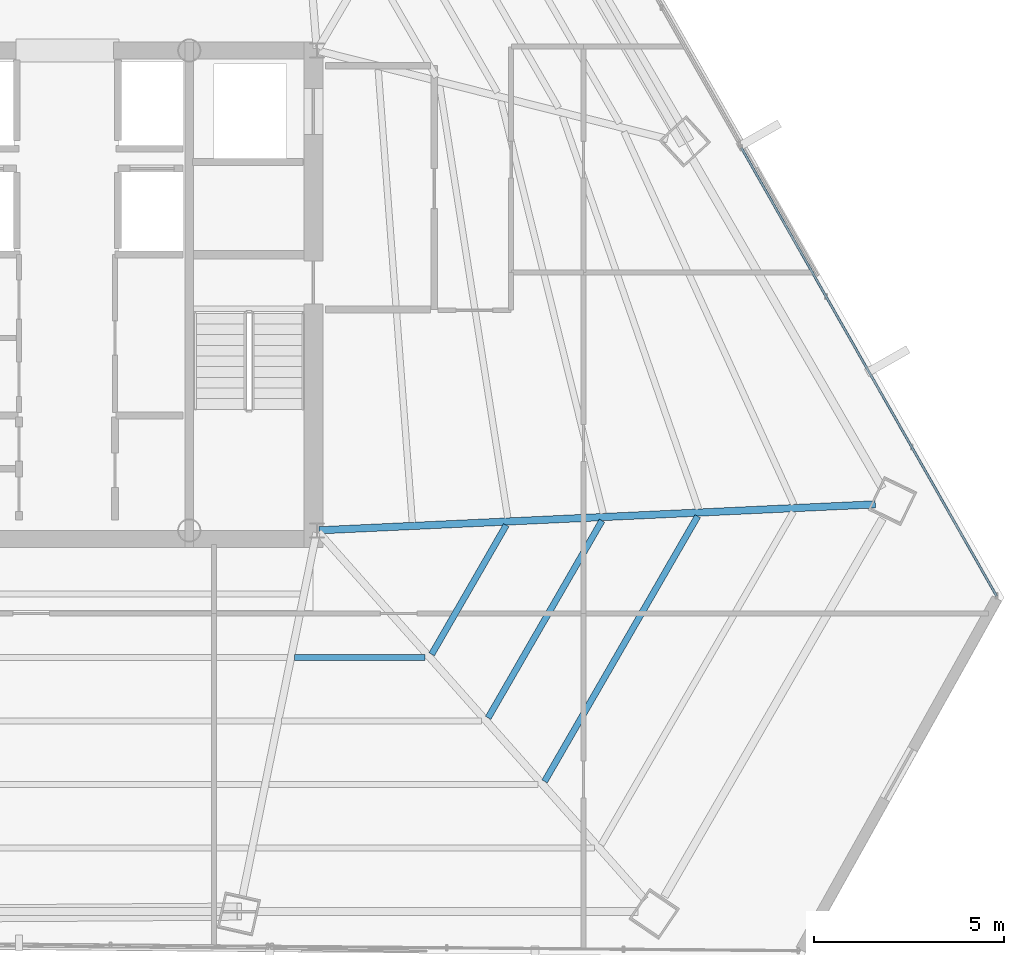
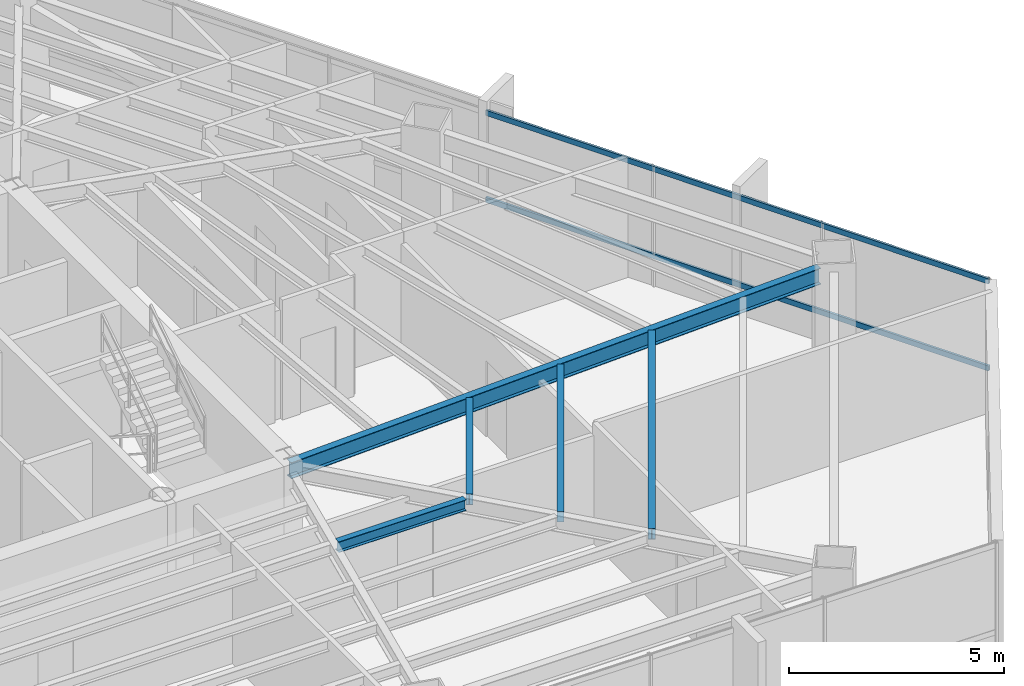
# One storey, part 20 of 38: 5 beams, 2 members, 1 element without a shape of its own.
"""IFC4 building model written with IfcOpenShell, lengths in metres."""

from ifc_helpers import new_model, si_unit, direction, frame, origin, origin_2d, place, context, subcontext, project, spatial, hollow_rectangle, i_section, extrude, source, transform, mapped, material, material_profile, profile_set, type_object, type_shapes, element, aggregate, save


model = new_model("IFC4")

# Units and contexts
model_context = context("Model", 3, precision=1e-05, world=origin(), true_north=direction((0.0, 1.0)))
body_context = subcontext(model_context, "Body", "Model", "MODEL_VIEW")
ifc_project = project(units=[si_unit("LENGTHUNIT", "METRE"), si_unit("AREAUNIT", "SQUARE_METRE"), si_unit("VOLUMEUNIT", "CUBIC_METRE"), si_unit("PLANEANGLEUNIT", "RADIAN"), si_unit("MASSUNIT", "GRAM", prefix="KILO")], contexts=[model_context])

# Site, building, storey
site_placement = place(None, origin())
site = spatial("IfcSite", under=ifc_project, at=site_placement, CompositionType="ELEMENT")
building_placement = place(site_placement, origin())
building = spatial("IfcBuilding", under=site, at=building_placement, Name="Caelisora Broadcast Tower", CompositionType="ELEMENT")
storey_placement = place(building_placement, frame((0.0, 0.0, 154.85009765625)))
storey = spatial("IfcBuildingStorey", under=building, at=storey_placement, Name="L40", CompositionType="ELEMENT", Elevation=154.85009765625)

# Beams
ifc_material_1 = material(Name="Steel Grade 350 (AS/NZS 3679.1)", Category="steel")
ifc_material_profile_1 = material_profile(ifc_material_1, i_section(OverallWidth=0.19091796875, OverallDepth=0.46044921875, WebThickness=0.010009765625, FlangeThickness=0.01611328125, at=origin_2d()), Name="Steel Grade 350 (AS/NZS 3679.1)")
ifc_profile_set_1 = profile_set([ifc_material_profile_1], Name="Steel Grade 350 (AS/NZS 3679.1)")
beam_type_1 = type_object("IfcBeamType", Name="PG06", PredefinedType="BEAM", material=ifc_profile_set_1)
shared_shape_1 = source(origin(), body_context, "Body", "SweptSolid", [
    extrude(i_section(OverallWidth=0.19091796875, OverallDepth=0.46044921875, WebThickness=0.010009765625, FlangeThickness=0.01611328125, at=origin_2d()), origin(), (0.0, 0.0, 1.0), 14.616455078125),
])
type_shapes(beam_type_1, [shared_shape_1])
beam_1_placement = place(storey_placement, frame((45.559814453125, 17.40283203125, 3.169677734375), z_axis=(0.998909658814, 0.04668504609, 0.0), x_axis=(-0.04668504609, 0.998909658814, 0.0)))
element("IfcBeam", 1, at=beam_1_placement, inside=storey, type_object=beam_type_1, Name="L40 beam PG06", PredefinedType="BEAM", context=body_context, shape_type="MappedRepresentation", body=[
    mapped(shared_shape_1, transform((0.0, 0.0, 0.0), scale=1.0)),
])
ifc_material_profile_2 = material_profile(ifc_material_1, i_section(OverallWidth=0.166015625, OverallDepth=0.30712890625, WebThickness=0.006591796875, FlangeThickness=0.01171875, at=origin_2d()), Name="Steel Grade 350 (AS/NZS 3679.1)")
ifc_profile_set_2 = profile_set([ifc_material_profile_2], Name="Steel Grade 350 (AS/NZS 3679.1)")
beam_type_2 = type_object("IfcBeamType", Name="SB03", PredefinedType="JOIST", material=ifc_profile_set_2)
shared_shape_2 = source(origin(), body_context, "Body", "SweptSolid", [
    extrude(i_section(OverallWidth=0.166015625, OverallDepth=0.30712890625, WebThickness=0.006591796875, FlangeThickness=0.01171875, at=origin_2d()), origin(), (0.0, 0.0, 1.0), 3.9150390625),
])
beam_2_placement = place(storey_placement, frame((48.513916015625, 14.148681640625, 3.246337890625), z_axis=(0.499988750281, 0.866031898715, 0.0), x_axis=(-0.866031898715, 0.499988750281, 0.0)))
element("IfcBeam", 2, at=beam_2_placement, inside=storey, type_object=beam_type_2, Name="L40 beam SB03", PredefinedType="JOIST", context=body_context, shape_type="MappedRepresentation", body=[
    mapped(shared_shape_2, transform((0.0, 0.0, 0.0), scale=1.0)),
])
shared_shape_3 = source(origin(), body_context, "Body", "SweptSolid", [
    extrude(i_section(OverallWidth=0.166015625, OverallDepth=0.30712890625, WebThickness=0.006591796875, FlangeThickness=0.01171875, at=origin_2d()), origin(), (0.0, 0.0, 1.0), 5.976318359375),
])
beam_3_placement = place(storey_placement, frame((49.99658203125, 12.48095703125, 3.246337890625), z_axis=(0.499974701609, 0.866040009324, 0.0), x_axis=(-0.866040009324, 0.499974701609, 0.0)))
element("IfcBeam", 3, at=beam_3_placement, inside=storey, type_object=beam_type_2, Name="L40 beam SB03", PredefinedType="JOIST", context=body_context, shape_type="MappedRepresentation", body=[
    mapped(shared_shape_3, transform((0.0, 0.0, 0.0), scale=1.0)),
])
shared_shape_4 = source(origin(), body_context, "Body", "SweptSolid", [
    extrude(i_section(OverallWidth=0.166015625, OverallDepth=0.30712890625, WebThickness=0.006591796875, FlangeThickness=0.01171875, at=origin_2d()), origin(), (0.0, 0.0, 1.0), 8.0380859375),
])
beam_4_placement = place(storey_placement, frame((51.47900390625, 10.81298828125, 3.246337890625), z_axis=(0.500000268222, 0.866025248926, 0.0), x_axis=(-0.866025248926, 0.500000268222, 0.0)))
element("IfcBeam", 4, at=beam_4_placement, inside=storey, type_object=beam_type_2, Name="L40 beam SB03", PredefinedType="JOIST", context=body_context, shape_type="MappedRepresentation", body=[
    mapped(shared_shape_4, transform((0.0, 0.0, 0.0), scale=1.0)),
])
shared_shape_5 = source(origin(), body_context, "Body", "SweptSolid", [
    extrude(i_section(OverallWidth=0.166015625, OverallDepth=0.30712890625, WebThickness=0.006591796875, FlangeThickness=0.01171875, at=origin_2d()), origin(), (0.0, 0.0, 1.0), 3.424072265625),
])
type_shapes(beam_type_2, [shared_shape_2, shared_shape_3, shared_shape_4, shared_shape_5])
beam_5_placement = place(storey_placement, frame((44.916259765625, 14.064208984375, 3.246337890625), z_axis=(1.0, 0.0, 0.0), x_axis=(0.0, 1.0, 0.0)))
element("IfcBeam", 5, at=beam_5_placement, inside=storey, type_object=beam_type_2, Name="L40 beam SB03", PredefinedType="JOIST", context=body_context, shape_type="MappedRepresentation", body=[
    mapped(shared_shape_5, transform((0.0, 0.0, 0.0), scale=1.0)),
])

# Curtain wall, members
ifc_material_2 = material(Name="Unitised Aluminium and Low-E Glass Curtain Wall", Category="glass")
curtain_wall_type = type_object("IfcCurtainWallType", Name="CW-Z3", PredefinedType="NOTDEFINED", material=ifc_material_2)
curtain_wall_placement = place(storey_placement, origin())
curtain_wall = element("IfcCurtainWall", 6, at=curtain_wall_placement, inside=storey, type_object=curtain_wall_type, Name="L40 curtain wall CW-Z3", PredefinedType="NOTDEFINED")
ifc_material_3 = material(Name="Aluminium 6063-T6 Anodised Terracotta Bronze", Category="aluminium")
ifc_material_profile_3 = material_profile(ifc_material_3, hollow_rectangle(XDim=0.06005859375, YDim=0.14990234375, WallThickness=0.00341796875, at=origin_2d()), Name="Aluminium 6063-T6 Anodised Terracotta Bronze")
ifc_profile_set_3 = profile_set([ifc_material_profile_3], Name="Aluminium 6063-T6 Anodised Terracotta Bronze")
member_type = type_object("IfcMemberType", Name="CWT-02", PredefinedType="USERDEFINED", material=ifc_profile_set_3)
shared_shape_6 = source(origin(), body_context, "Body", "SweptSolid", [
    extrude(hollow_rectangle(XDim=0.06005859375, YDim=0.14990234375, WallThickness=0.00341796875, at=origin_2d()), origin(), (0.0, 0.0, 1.0), 13.538818359375),
])
type_shapes(member_type, [shared_shape_6])
member_1_placement = place(storey_placement, frame((56.642578125, 27.447265625, 0.849853515625), z_axis=(0.494852803117, -0.868976813987, 0.0), x_axis=(0.868976813987, 0.494852803117, 0.0)))
member_1 = element("IfcMember", 7, at=member_1_placement, type_object=member_type, Name="L40-CW-B03 transom #1", ObjectType="TRANSOM", PredefinedType="USERDEFINED", context=body_context, shape_type="MappedRepresentation", body=[
    mapped(shared_shape_6, transform((0.0, 0.0, 0.0), scale=1.0)),
])
member_2_placement = place(storey_placement, frame((56.642578125, 27.447265625, 3.31982421875), z_axis=(0.494852803117, -0.868976813987, 0.0), x_axis=(0.868976813987, 0.494852803117, 0.0)))
member_2 = element("IfcMember", 8, at=member_2_placement, type_object=member_type, Name="L40-CW-B03 transom #2", ObjectType="TRANSOM", PredefinedType="USERDEFINED", context=body_context, shape_type="MappedRepresentation", body=[
    mapped(shared_shape_6, transform((0.0, 0.0, 0.0), scale=1.0)),
])
aggregate(curtain_wall, [member_1, member_2])

save(model, "model.ifc")
